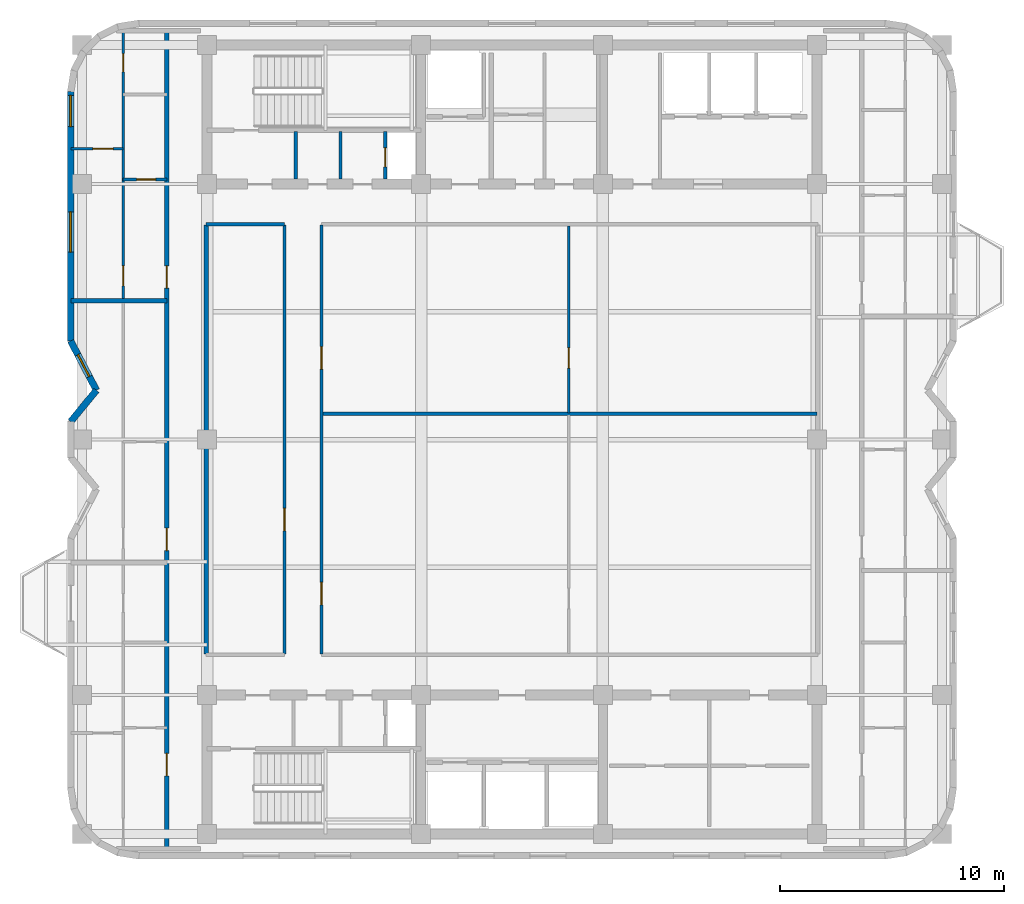
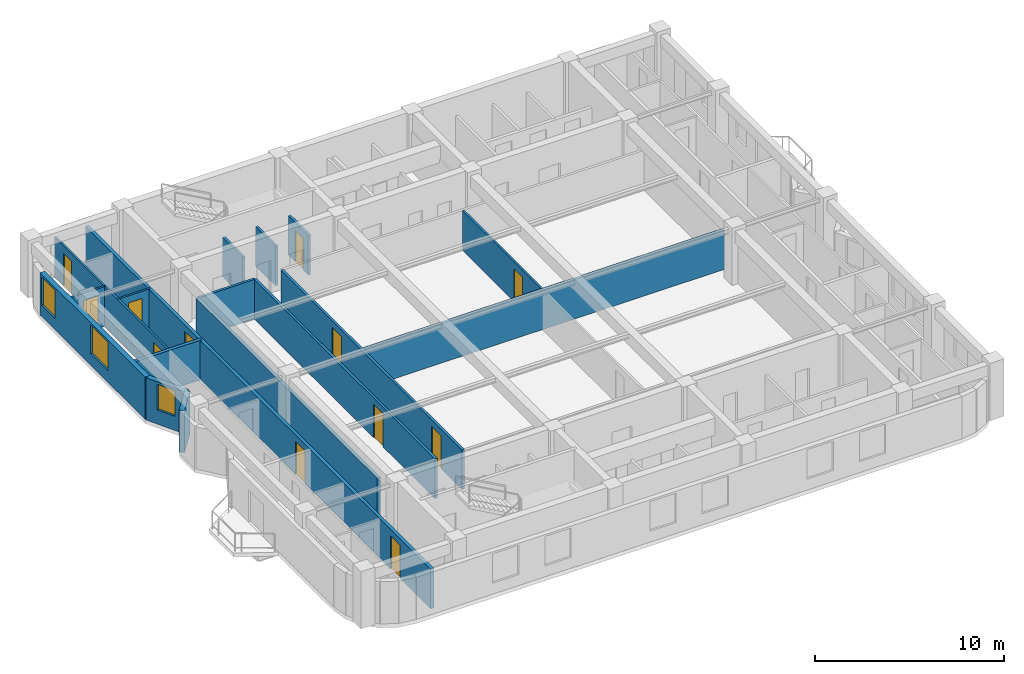
# One storey, part 4 of 9: 17 walls, 12 doors, 3 windows, 15 openings.
"""IFC4 building model written with IfcOpenShell, lengths in metres."""

from ifc_helpers import new_model, si_unit, direction, frame, frame_2d, origin, place, context, subcontext, project, spatial, rectangle, extrude, material, layer, layer_set, type_object, element, fill, save


model = new_model("IFC4")

# Units and contexts
model_context = context("Model", 3, precision=1e-05, world=origin(), true_north=direction((0.0, 1.0)))
body_context = subcontext(model_context, "Body", "Model", "MODEL_VIEW")
ifc_project = project(units=[si_unit("LENGTHUNIT", "METRE"), si_unit("AREAUNIT", "SQUARE_METRE"), si_unit("VOLUMEUNIT", "CUBIC_METRE"), si_unit("PLANEANGLEUNIT", "RADIAN"), si_unit("MASSUNIT", "GRAM", prefix="KILO")], contexts=[model_context])

# Site, building, storey
site_placement = place(None, origin())
site = spatial("IfcSite", under=ifc_project, at=site_placement, CompositionType="ELEMENT")
building_placement = place(site_placement, origin())
building = spatial("IfcBuilding", under=site, at=building_placement, Name="Svetorya Sky Lyceum", CompositionType="ELEMENT")
storey_placement = place(building_placement, frame((0.0, 0.0, 244.300048828125)))
storey = spatial("IfcBuildingStorey", under=building, at=storey_placement, Name="L61", CompositionType="ELEMENT", Elevation=244.300048828125)

# Wall, openings, windows
ifc_material_1 = material(Name="Putilovo limestone rainscreen on autoclaved cellular masonry", Category="masonry")
ifc_layer_1 = layer(ifc_material_1, 0.300048828125)
ifc_layer_set_1 = layer_set([ifc_layer_1], Name="Putilovo limestone rainscreen on autoclaved cellular masonry")
wall_type_1 = type_object("IfcWallType", Name="WL-EXT-300", PredefinedType="SOLIDWALL", material=ifc_layer_set_1)
wall_1_placement = place(storey_placement, frame((19.510009765625, 43.719970703125, 0.0), z_axis=(0.0, 0.0, 1.0), x_axis=(0.0, -1.0, 0.0)))
wall_1 = element("IfcWall", 1, at=wall_1_placement, inside=storey, type_object=wall_type_1, Name="L61 Limestone Exterior Wall 30M", PredefinedType="SOLIDWALL", context=body_context, shape_type="SweptSolid", body=[
    extrude(rectangle(XDim=11.119873046875, YDim=0.300048828125, at=frame_2d((5.56005859375, 0.0))), origin(), (0.0, 0.0, 1.0), 2.72998046875),
])
opening_1_placement = place(wall_1_placement, frame((0.159912109375, 0.0, 0.719970703125)))
opening_1 = element("IfcOpeningElement", 2, at=opening_1_placement, cuts=wall_1, Name="Opening W-R2", PredefinedType="OPENING", context=body_context, shape_type="SweptSolid", body=[
    extrude(rectangle(XDim=1.39990234375, YDim=1.85009765625, at=frame_2d((0.699951171875, 0.925048828125))), frame((0.0, 0.159912109375, 0.0), z_axis=(0.0, -1.0, 0.0), x_axis=(1.0, 0.0, 0.0)), (0.0, 0.0, 1.0), 0.320068359375),
])
opening_2_placement = place(wall_1_placement, frame((5.360107421875, 0.0, 0.760009765625)))
opening_2 = element("IfcOpeningElement", 3, at=opening_2_placement, cuts=wall_1, Name="Opening W-R1", PredefinedType="OPENING", context=body_context, shape_type="SweptSolid", body=[
    extrude(rectangle(XDim=1.800048828125, YDim=1.85009765625, at=frame_2d((0.89990234375, 0.925048828125))), frame((0.0, 0.159912109375, 0.0), z_axis=(0.0, -1.0, 0.0), x_axis=(1.0, 0.0, 0.0)), (0.0, 0.0, 1.0), 0.320068359375),
])
ifc_material_2 = material(Name="Thermally broken aluminium frame with triple low-E glazing", Category="aluminium")
window_type_1 = type_object("IfcWindowType", Name="WN-RES-140", PartitioningType="SINGLE_PANEL", PredefinedType="WINDOW", material=ifc_material_2)
window_1_placement = place(opening_1_placement, origin())
window_1 = element("IfcWindow", 4, at=window_1_placement, inside=storey, type_object=window_type_1, Name="L61 Facade Window W-R2.30M.2", OverallHeight=1.85009765625, OverallWidth=1.39990234375, PartitioningType="SINGLE_PANEL", PredefinedType="WINDOW", context=body_context, shape_type="SweptSolid", body=[
    extrude(rectangle(XDim=1.39990234375, YDim=1.85009765625, at=frame_2d((0.699951171875, 0.925048828125))), frame((0.0, 0.030029296875, 0.0), z_axis=(0.0, -1.0, 0.0), x_axis=(1.0, 0.0, 0.0)), (0.0, 0.0, 1.0), 0.06005859375),
])
fill(opening_1, window_1)
window_type_2 = type_object("IfcWindowType", Name="WN-RES-180", PartitioningType="DOUBLE_PANEL_VERTICAL", PredefinedType="WINDOW", material=ifc_material_2)
window_2_placement = place(opening_2_placement, origin())
window_2 = element("IfcWindow", 5, at=window_2_placement, inside=storey, type_object=window_type_2, Name="L61 Facade Window W-R1.30M.1", OverallHeight=1.85009765625, OverallWidth=1.800048828125, PartitioningType="SINGLE_PANEL", PredefinedType="WINDOW", context=body_context, shape_type="SweptSolid", body=[
    extrude(rectangle(XDim=1.800048828125, YDim=1.85009765625, at=frame_2d((0.89990234375, 0.925048828125))), frame((0.0, 0.030029296875, 0.0), z_axis=(0.0, -1.0, 0.0), x_axis=(1.0, 0.0, 0.0)), (0.0, 0.0, 1.0), 0.06005859375),
])
fill(opening_2, window_2)

# Wall, opening, window
wall_2_placement = place(storey_placement, frame((19.510009765625, 32.60009765625, 0.0), z_axis=(0.0, 0.0, 1.0), x_axis=(0.463191013929, -0.88625847506, 0.0)))
wall_2 = element("IfcWall", 6, at=wall_2_placement, inside=storey, type_object=wall_type_1, Name="L61 Limestone Exterior Wall 31M", PredefinedType="SOLIDWALL", context=body_context, shape_type="SweptSolid", body=[
    extrude(rectangle(XDim=2.482666015625, YDim=0.300048828125, at=frame_2d((1.2412109375, 0.0))), origin(), (0.0, 0.0, 1.0), 2.72998046875),
])
opening_3_placement = place(wall_2_placement, frame((0.691162109375, 0.0, 0.919921875)))
opening_3 = element("IfcOpeningElement", 7, at=opening_3_placement, cuts=wall_2, Name="Opening W-R3", PredefinedType="OPENING", context=body_context, shape_type="SweptSolid", body=[
    extrude(rectangle(XDim=1.10009765625, YDim=1.64990234375, at=frame_2d((0.550048828125, 0.824951171875))), frame((0.0, 0.159912109375, 0.0), z_axis=(0.0, -1.0, 0.0), x_axis=(1.0, 0.0, 0.0)), (0.0, 0.0, 1.0), 0.320068359375),
])
window_type_3 = type_object("IfcWindowType", Name="WN-RES-110", PartitioningType="SINGLE_PANEL", PredefinedType="WINDOW", material=ifc_material_2)
window_3_placement = place(opening_3_placement, origin())
window_3 = element("IfcWindow", 8, at=window_3_placement, inside=storey, type_object=window_type_3, Name="L61 Facade Window W-R3.31M.1", OverallHeight=1.64990234375, OverallWidth=1.10009765625, PartitioningType="SINGLE_PANEL", PredefinedType="WINDOW", context=body_context, shape_type="SweptSolid", body=[
    extrude(rectangle(XDim=1.10009765625, YDim=1.64990234375, at=frame_2d((0.550048828125, 0.824951171875))), frame((0.0, 0.030029296875, 0.0), z_axis=(0.0, -1.0, 0.0), x_axis=(1.0, 0.0, 0.0)), (0.0, 0.0, 1.0), 0.06005859375),
])
fill(opening_3, window_3)

# Wall
wall_3_placement = place(storey_placement, frame((20.659912109375, 30.39990234375, 0.0), z_axis=(0.0, 0.0, 1.0), x_axis=(-0.634733675645, -0.772730975827, 0.0)))
element("IfcWall", 9, at=wall_3_placement, inside=storey, type_object=wall_type_1, Name="L61 Limestone Exterior Wall 32M", PredefinedType="SOLIDWALL", context=body_context, shape_type="SweptSolid", body=[
    extrude(rectangle(XDim=1.8115234375, YDim=0.300048828125, at=frame_2d((0.90576171875, 0.0))), origin(), (0.0, 0.0, 1.0), 2.72998046875),
])

# Wall, opening, door
ifc_material_3 = material(Name="Twin-stud galvanized framing with double fireboard", Category="gypsum")
ifc_layer_2 = layer(ifc_material_3, 0.1201171875)
ifc_layer_set_2 = layer_set([ifc_layer_2], Name="Twin-stud galvanized framing with double fireboard")
wall_type_2 = type_object("IfcWallType", Name="WL-PART-120", PredefinedType="PARTITIONING", material=ifc_layer_set_2)
wall_4_placement = place(storey_placement, frame((41.735107421875, 29.388427734375, 0.0), z_axis=(0.0, 0.0, 1.0), x_axis=(0.0, 1.0, 0.0)))
wall_4 = element("IfcWall", 10, at=wall_4_placement, inside=storey, type_object=wall_type_2, Name="L61 Interior Partition OFF-VEM2", PredefinedType="PARTITIONING", context=body_context, shape_type="SweptSolid", body=[
    extrude(rectangle(XDim=8.3515625, YDim=0.1201171875, at=frame_2d((4.17578125, 0.0))), origin(), (0.0, 0.0, 1.0), 2.56005859375),
])
opening_4_placement = place(wall_4_placement, frame((2.0, 0.0, 0.0)))
opening_4 = element("IfcOpeningElement", 11, at=opening_4_placement, cuts=wall_4, Name="Opening D-RM1", PredefinedType="OPENING", context=body_context, shape_type="SweptSolid", body=[
    extrude(rectangle(XDim=0.89990234375, YDim=2.10009765625, at=frame_2d((0.449951171875, 1.050048828125))), frame((0.0, 0.070068359375, 0.0), z_axis=(0.0, -1.0, 0.0), x_axis=(1.0, 0.0, 0.0)), (0.0, 0.0, 1.0), 0.14013671875),
])
ifc_material_4 = material(Name="Lacquered birch veneer internal door")
door_type_1 = type_object("IfcDoorType", Name="DR-INT-900", OperationType="SINGLE_SWING_LEFT", PredefinedType="DOOR", material=ifc_material_4)
door_1_placement = place(opening_4_placement, origin())
door_1 = element("IfcDoor", 12, at=door_1_placement, inside=storey, type_object=door_type_1, Name="L61 East Focus Door", OperationType="SINGLE_SWING_RIGHT", OverallHeight=2.10009765625, OverallWidth=0.89990234375, PredefinedType="DOOR", context=body_context, shape_type="SweptSolid", body=[
    extrude(rectangle(XDim=0.89990234375, YDim=2.10009765625, at=frame_2d((0.449951171875, 1.050048828125))), frame((0.0, 0.02490234375, 0.0), z_axis=(0.0, -1.0, 0.0), x_axis=(1.0, 0.0, 0.0)), (0.0, 0.0, 1.0), 0.050048828125),
])
fill(opening_4, door_1)

wall_5_placement = place(storey_placement, frame((21.85009765625, 39.804931640625, 0.0), z_axis=(0.0, 0.0, 1.0), x_axis=(1.0, 0.0, 0.0)))
wall_5 = element("IfcWall", 13, at=wall_5_placement, inside=storey, type_object=wall_type_2, Name="L61 Interior Partition W3-WH1", PredefinedType="PARTITIONING", context=body_context, shape_type="SweptSolid", body=[
    extrude(rectangle(XDim=1.949951171875, YDim=0.1201171875, at=frame_2d((0.97509765625, 0.0))), origin(), (0.0, 0.0, 1.0), 2.56005859375),
])
opening_5_placement = place(wall_5_placement, frame((0.60009765625, 0.0, 0.0)))
opening_5 = element("IfcOpeningElement", 14, at=opening_5_placement, cuts=wall_5, Name="Opening D-BT1", PredefinedType="OPENING", context=body_context, shape_type="SweptSolid", body=[
    extrude(rectangle(XDim=0.85009765625, YDim=2.10009765625, at=frame_2d((0.425048828125, 1.050048828125))), frame((0.0, 0.070068359375, 0.0), z_axis=(0.0, -1.0, 0.0), x_axis=(1.0, 0.0, 0.0)), (0.0, 0.0, 1.0), 0.14013671875),
])
ifc_material_5 = material(Name="Moisture-resistant laminate bathroom door")
door_type_2 = type_object("IfcDoorType", Name="DR-WET-850", OperationType="SINGLE_SWING_LEFT", PredefinedType="DOOR", material=ifc_material_5)
door_2_placement = place(opening_5_placement, origin())
door_2 = element("IfcDoor", 15, at=door_2_placement, inside=storey, type_object=door_type_2, Name="Apartment W3 Bathroom Door", OperationType="SINGLE_SWING_LEFT", OverallHeight=2.10009765625, OverallWidth=0.85009765625, PredefinedType="DOOR", context=body_context, shape_type="SweptSolid", body=[
    extrude(rectangle(XDim=0.85009765625, YDim=2.10009765625, at=frame_2d((0.425048828125, 1.050048828125))), frame((0.0, 0.02490234375, 0.0), z_axis=(0.0, -1.0, 0.0), x_axis=(1.0, 0.0, 0.0)), (0.0, 0.0, 1.0), 0.050048828125),
])
fill(opening_5, door_2)

wall_6_placement = place(storey_placement, frame((19.530029296875, 41.169921875, 0.0), z_axis=(0.0, 0.0, 1.0), x_axis=(1.0, 0.0, 0.0)))
wall_6 = element("IfcWall", 16, at=wall_6_placement, inside=storey, type_object=wall_type_2, Name="L61 Interior Partition W3-WL1", PredefinedType="PARTITIONING", context=body_context, shape_type="SweptSolid", body=[
    extrude(rectangle(XDim=2.320068359375, YDim=0.1201171875, at=frame_2d((1.16015625, 0.0))), origin(), (0.0, 0.0, 1.0), 2.56005859375),
])
opening_6_placement = place(wall_6_placement, frame((0.969970703125, 0.0, 0.0)))
opening_6 = element("IfcOpeningElement", 17, at=opening_6_placement, cuts=wall_6, Name="Opening D-RM1", PredefinedType="OPENING", context=body_context, shape_type="SweptSolid", body=[
    extrude(rectangle(XDim=0.89990234375, YDim=2.10009765625, at=frame_2d((0.449951171875, 1.050048828125))), frame((0.0, 0.070068359375, 0.0), z_axis=(0.0, -1.0, 0.0), x_axis=(1.0, 0.0, 0.0)), (0.0, 0.0, 1.0), 0.14013671875),
])
door_3_placement = place(opening_6_placement, origin())
door_3 = element("IfcDoor", 18, at=door_3_placement, inside=storey, type_object=door_type_1, Name="Apartment W3 Bedroom 1 Door", OperationType="SINGLE_SWING_LEFT", OverallHeight=2.10009765625, OverallWidth=0.89990234375, PredefinedType="DOOR", context=body_context, shape_type="SweptSolid", body=[
    extrude(rectangle(XDim=0.89990234375, YDim=2.10009765625, at=frame_2d((0.449951171875, 1.050048828125))), frame((0.0, 0.02490234375, 0.0), z_axis=(0.0, -1.0, 0.0), x_axis=(1.0, 0.0, 0.0)), (0.0, 0.0, 1.0), 0.050048828125),
])
fill(opening_6, door_3)

# Wall, openings, doors
wall_7_placement = place(storey_placement, frame((21.85009765625, 34.445068359375, 0.0), z_axis=(0.0, 0.0, 1.0), x_axis=(0.0, 1.0, 0.0)))
wall_7 = element("IfcWall", 19, at=wall_7_placement, inside=storey, type_object=wall_type_2, Name="L61 Interior Partition W3-WV", PredefinedType="PARTITIONING", context=body_context, shape_type="SweptSolid", body=[
    extrude(rectangle(XDim=11.96484375, YDim=0.1201171875, at=frame_2d((5.982421875, 0.0))), origin(), (0.0, 0.0, 1.0), 2.56005859375),
])
opening_7_placement = place(wall_7_placement, frame((0.610107421875, 0.0, 0.0)))
opening_7 = element("IfcOpeningElement", 20, at=opening_7_placement, cuts=wall_7, Name="Opening D-RM1", PredefinedType="OPENING", context=body_context, shape_type="SweptSolid", body=[
    extrude(rectangle(XDim=0.89990234375, YDim=2.10009765625, at=frame_2d((0.449951171875, 1.050048828125))), frame((0.0, 0.070068359375, 0.0), z_axis=(0.0, -1.0, 0.0), x_axis=(1.0, 0.0, 0.0)), (0.0, 0.0, 1.0), 0.14013671875),
])
opening_8_placement = place(wall_7_placement, frame((10.157470703125, 0.0, 0.0)))
opening_8 = element("IfcOpeningElement", 21, at=opening_8_placement, cuts=wall_7, Name="Opening D-BT2", PredefinedType="OPENING", context=body_context, shape_type="SweptSolid", body=[
    extrude(rectangle(XDim=0.820068359375, YDim=2.080078125, at=frame_2d((0.41015625, 1.0400390625))), frame((0.0, 0.070068359375, 0.0), z_axis=(0.0, -1.0, 0.0), x_axis=(1.0, 0.0, 0.0)), (0.0, 0.0, 1.0), 0.14013671875),
])
door_4_placement = place(opening_7_placement, origin())
door_4 = element("IfcDoor", 22, at=door_4_placement, inside=storey, type_object=door_type_1, Name="Apartment W3 Living Door", OperationType="SINGLE_SWING_RIGHT", OverallHeight=2.10009765625, OverallWidth=0.89990234375, PredefinedType="DOOR", context=body_context, shape_type="SweptSolid", body=[
    extrude(rectangle(XDim=0.89990234375, YDim=2.10009765625, at=frame_2d((0.449951171875, 1.050048828125))), frame((0.0, 0.02490234375, 0.0), z_axis=(0.0, -1.0, 0.0), x_axis=(1.0, 0.0, 0.0)), (0.0, 0.0, 1.0), 0.050048828125),
])
fill(opening_7, door_4)
ifc_material_6 = material(Name="Compact moisture-resistant laminate closet door")
door_type_3 = type_object("IfcDoorType", Name="DR-WET-820", OperationType="SINGLE_SWING_LEFT", PredefinedType="DOOR", material=ifc_material_6)
door_5_placement = place(opening_8_placement, origin())
door_5 = element("IfcDoor", 23, at=door_5_placement, inside=storey, type_object=door_type_3, Name="Apartment W3 Study Door", OperationType="SINGLE_SWING_LEFT", OverallHeight=2.080078125, OverallWidth=0.820068359375, PredefinedType="DOOR", context=body_context, shape_type="SweptSolid", body=[
    extrude(rectangle(XDim=0.820068359375, YDim=2.080078125, at=frame_2d((0.41015625, 1.0400390625))), frame((0.0, 0.02490234375, 0.0), z_axis=(0.0, -1.0, 0.0), x_axis=(1.0, 0.0, 0.0)), (0.0, 0.0, 1.0), 0.050048828125),
])
fill(opening_8, door_5)

# Wall, opening, door
ifc_material_7 = material(Name="Autoclaved cellular masonry blockwork with acoustic render", Category="masonry")
ifc_layer_3 = layer(ifc_material_7, 0.14990234375)
ifc_layer_set_3 = layer_set([ifc_layer_3], Name="Autoclaved cellular masonry blockwork with acoustic render")
wall_type_3 = type_object("IfcWallType", Name="WL-PART-150", PredefinedType="PARTITIONING", material=ifc_layer_set_3)
wall_8_placement = place(storey_placement, frame((33.550048828125, 39.820068359375, 0.0), z_axis=(0.0, 0.0, 1.0), x_axis=(0.0, 1.0, 0.0)))
wall_8 = element("IfcWall", 24, at=wall_8_placement, inside=storey, type_object=wall_type_3, Name="L61 Interior Partition NC-RSRW", PredefinedType="PARTITIONING", context=body_context, shape_type="SweptSolid", body=[
    extrude(rectangle(XDim=2.1298828125, YDim=0.14990234375, at=frame_2d((1.06494140625, 0.0))), origin(), (0.0, 0.0, 1.0), 2.56005859375),
])
opening_9_placement = place(wall_8_placement, frame((0.550048828125, 0.0, 0.0)))
opening_9 = element("IfcOpeningElement", 25, at=opening_9_placement, cuts=wall_8, Name="Opening D-SH1", PredefinedType="OPENING", context=body_context, shape_type="SweptSolid", body=[
    extrude(rectangle(XDim=0.85009765625, YDim=2.050048828125, at=frame_2d((0.425048828125, 1.02490234375))), frame((0.0, 0.0849609375, 0.0), z_axis=(0.0, -1.0, 0.0), x_axis=(1.0, 0.0, 0.0)), (0.0, 0.0, 1.0), 0.169921875),
])
ifc_material_8 = material(Name="Insulated galvanized riser inspection fire door")
door_type_4 = type_object("IfcDoorType", Name="DR-SHFT-850", OperationType="SINGLE_SWING_LEFT", PredefinedType="TRAPDOOR", material=ifc_material_8)
door_6_placement = place(opening_9_placement, origin())
door_6 = element("IfcDoor", 26, at=door_6_placement, inside=storey, type_object=door_type_4, Name="L61 North Riser Access Door", OperationType="SINGLE_SWING_LEFT", OverallHeight=2.050048828125, OverallWidth=0.85009765625, PredefinedType="TRAPDOOR", context=body_context, shape_type="SweptSolid", body=[
    extrude(rectangle(XDim=0.85009765625, YDim=2.050048828125, at=frame_2d((0.425048828125, 1.02490234375))), frame((0.0, 0.02490234375, 0.0), z_axis=(0.0, -1.0, 0.0), x_axis=(1.0, 0.0, 0.0)), (0.0, 0.0, 1.0), 0.050048828125),
])
fill(opening_9, door_6)

# Walls
for number, where, z_axis, x_axis, name in (
    (27, (29.550048828125, 39.820068359375, 0.0), (0.0, 0.0, 1.0), (0.0, 1.0, 0.0), "L61 Interior Partition NC-NWD1"),
    (28, (31.550048828125, 39.820068359375, 0.0), (0.0, 0.0, 1.0), (0.0, 1.0, 0.0), "L61 Interior Partition NC-NWD2"),
):
    element("IfcWall", number, at=place(storey_placement, frame(where, z_axis=z_axis, x_axis=x_axis)), inside=storey, type_object=wall_type_3, Name=name, PredefinedType="PARTITIONING", context=body_context, shape_type="SweptSolid", body=[
        extrude(rectangle(XDim=2.1298828125, YDim=0.14990234375, at=frame_2d((1.06494140625, 0.0))), origin(), (0.0, 0.0, 1.0), 2.56005859375),
    ])
wall_9_placement = place(storey_placement, frame((25.550048828125, 37.800048828125, 0.0), z_axis=(0.0, 0.0, 1.0), x_axis=(1.0, 0.0, 0.0)))
element("IfcWall", 29, at=wall_9_placement, inside=storey, type_object=wall_type_3, Name="L61 Interior Partition OFF-CN-W", PredefinedType="PARTITIONING", context=body_context, shape_type="SweptSolid", body=[
    extrude(rectangle(XDim=3.5, YDim=0.14990234375, at=frame_2d((1.75, 0.0))), origin(), (0.0, 0.0, 1.0), 2.56005859375),
])
wall_10_placement = place(storey_placement, frame((30.72998046875, 29.348388671875, 0.0), z_axis=(0.0, 0.0, 1.0), x_axis=(1.0, 0.0, 0.0)))
element("IfcWall", 30, at=wall_10_placement, inside=storey, type_object=wall_type_3, Name="L61 Interior Partition OFF-HE", PredefinedType="PARTITIONING", context=body_context, shape_type="SweptSolid", body=[
    extrude(rectangle(XDim=22.070068359375, YDim=0.14990234375, at=frame_2d((11.03515625, 0.0))), origin(), (0.0, 0.0, 1.0), 2.56005859375),
])

# Wall, opening, door
wall_11_placement = place(storey_placement, frame((29.050048828125, 18.6298828125, 0.0), z_axis=(0.0, 0.0, 1.0), x_axis=(0.0, 1.0, 0.0)))
wall_11 = element("IfcWall", 31, at=wall_11_placement, inside=storey, type_object=wall_type_3, Name="L61 Interior Partition OFF-VW", PredefinedType="PARTITIONING", context=body_context, shape_type="SweptSolid", body=[
    extrude(rectangle(XDim=19.14013671875, YDim=0.14990234375, at=frame_2d((9.570068359375, 0.0))), origin(), (0.0, 0.0, 1.0), 2.56005859375),
])
opening_10_placement = place(wall_11_placement, frame((5.5, 0.0, 0.0)))
opening_10 = element("IfcOpeningElement", 32, at=opening_10_placement, cuts=wall_11, Name="Opening D-RM2", PredefinedType="OPENING", context=body_context, shape_type="SweptSolid", body=[
    extrude(rectangle(XDim=1.0, YDim=2.14990234375, at=frame_2d((0.5, 1.074951171875))), frame((0.0, 0.0849609375, 0.0), z_axis=(0.0, -1.0, 0.0), x_axis=(1.0, 0.0, 0.0)), (0.0, 0.0, 1.0), 0.169921875),
])
ifc_material_9 = material(Name="Solid-core oak acoustic room door")
door_type_5 = type_object("IfcDoorType", Name="DR-INT-1000", OperationType="SINGLE_SWING_LEFT", PredefinedType="DOOR", material=ifc_material_9)
door_7_placement = place(opening_10_placement, origin())
door_7 = element("IfcDoor", 33, at=door_7_placement, inside=storey, type_object=door_type_5, Name="L61 West Office Door", OperationType="SINGLE_SWING_LEFT", OverallHeight=2.14990234375, OverallWidth=1.0, PredefinedType="DOOR", context=body_context, shape_type="SweptSolid", body=[
    extrude(rectangle(XDim=1.0, YDim=2.14990234375, at=frame_2d((0.5, 1.074951171875))), frame((0.0, 0.02490234375, 0.0), z_axis=(0.0, -1.0, 0.0), x_axis=(1.0, 0.0, 0.0)), (0.0, 0.0, 1.0), 0.050048828125),
])
fill(opening_10, door_7)

# Wall, openings, doors
wall_12_placement = place(storey_placement, frame((30.699951171875, 18.6298828125, 0.0), z_axis=(0.0, 0.0, 1.0), x_axis=(0.0, 1.0, 0.0)))
wall_12 = element("IfcWall", 34, at=wall_12_placement, inside=storey, type_object=wall_type_3, Name="L61 Interior Partition OFF-VE", PredefinedType="PARTITIONING", context=body_context, shape_type="SweptSolid", body=[
    extrude(rectangle(XDim=19.14013671875, YDim=0.14990234375, at=frame_2d((9.570068359375, 0.0))), origin(), (0.0, 0.0, 1.0), 2.56005859375),
])
opening_11_placement = place(wall_12_placement, frame((2.199951171875, 0.0, 0.0)))
opening_11 = element("IfcOpeningElement", 35, at=opening_11_placement, cuts=wall_12, Name="Opening D-RM2", PredefinedType="OPENING", context=body_context, shape_type="SweptSolid", body=[
    extrude(rectangle(XDim=1.0, YDim=2.14990234375, at=frame_2d((0.5, 1.074951171875))), frame((0.0, 0.0849609375, 0.0), z_axis=(0.0, -1.0, 0.0), x_axis=(1.0, 0.0, 0.0)), (0.0, 0.0, 1.0), 0.169921875),
])
opening_12_placement = place(wall_12_placement, frame((12.718505859375, 0.0, 0.0)))
opening_12 = element("IfcOpeningElement", 36, at=opening_12_placement, cuts=wall_12, Name="Opening D-RM2", PredefinedType="OPENING", context=body_context, shape_type="SweptSolid", body=[
    extrude(rectangle(XDim=1.0, YDim=2.14990234375, at=frame_2d((0.5, 1.074951171875))), frame((0.0, 0.0849609375, 0.0), z_axis=(0.0, -1.0, 0.0), x_axis=(1.0, 0.0, 0.0)), (0.0, 0.0, 1.0), 0.169921875),
])
door_8_placement = place(opening_11_placement, origin())
door_8 = element("IfcDoor", 37, at=door_8_placement, inside=storey, type_object=door_type_5, Name="L61 Meeting Door", OperationType="SINGLE_SWING_RIGHT", OverallHeight=2.14990234375, OverallWidth=1.0, PredefinedType="DOOR", context=body_context, shape_type="SweptSolid", body=[
    extrude(rectangle(XDim=1.0, YDim=2.14990234375, at=frame_2d((0.5, 1.074951171875))), frame((0.0, 0.02490234375, 0.0), z_axis=(0.0, -1.0, 0.0), x_axis=(1.0, 0.0, 0.0)), (0.0, 0.0, 1.0), 0.050048828125),
])
fill(opening_11, door_8)
door_9_placement = place(opening_12_placement, origin())
door_9 = element("IfcDoor", 38, at=door_9_placement, inside=storey, type_object=door_type_5, Name="L61 North Room Door", OperationType="SINGLE_SWING_LEFT", OverallHeight=2.14990234375, OverallWidth=1.0, PredefinedType="DOOR", context=body_context, shape_type="SweptSolid", body=[
    extrude(rectangle(XDim=1.0, YDim=2.14990234375, at=frame_2d((0.5, 1.074951171875))), frame((0.0, 0.02490234375, 0.0), z_axis=(0.0, -1.0, 0.0), x_axis=(1.0, 0.0, 0.0)), (0.0, 0.0, 1.0), 0.050048828125),
])
fill(opening_12, door_9)

# Walls
ifc_material_10 = material(Name="Autoclaved cellular masonry blockwork with gypsum plaster", Category="masonry")
ifc_layer_4 = layer(ifc_material_10, 0.199951171875)
ifc_layer_set_4 = layer_set([ifc_layer_4], Name="Autoclaved cellular masonry blockwork with gypsum plaster")
wall_type_4 = type_object("IfcWallType", Name="WL-PART-200", PredefinedType="PARTITIONING", material=ifc_layer_set_4)
wall_13_placement = place(storey_placement, frame((25.550048828125, 18.6298828125, 0.0), z_axis=(0.0, 0.0, 1.0), x_axis=(0.0, 1.0, 0.0)))
element("IfcWall", 39, at=wall_13_placement, inside=storey, type_object=wall_type_4, Name="L61 Interior Partition W-CEN-SEP", PredefinedType="PARTITIONING", context=body_context, shape_type="SweptSolid", body=[
    extrude(rectangle(XDim=19.14013671875, YDim=0.199951171875, at=frame_2d((9.570068359375, 0.0))), origin(), (0.0, 0.0, 1.0), 2.56005859375),
])
wall_14_placement = place(storey_placement, frame((19.530029296875, 34.405029296875, 0.0), z_axis=(0.0, 0.0, 1.0), x_axis=(1.0, 0.0, 0.0)))
element("IfcWall", 40, at=wall_14_placement, inside=storey, type_object=wall_type_4, Name="L61 Interior Partition W-PARTY-2", PredefinedType="PARTITIONING", context=body_context, shape_type="SweptSolid", body=[
    extrude(rectangle(XDim=4.27001953125, YDim=0.199951171875, at=frame_2d((2.135009765625, 0.0))), origin(), (0.0, 0.0, 1.0), 2.56005859375),
])

# Wall, openings, doors
wall_15_placement = place(storey_placement, frame((23.800048828125, 9.949951171875, 0.0), z_axis=(0.0, 0.0, 1.0), x_axis=(0.0, 1.0, 0.0)))
wall_15 = element("IfcWall", 41, at=wall_15_placement, inside=storey, type_object=wall_type_4, Name="L61 Interior Partition W-CORRW", PredefinedType="PARTITIONING", context=body_context, shape_type="SweptSolid", body=[
    extrude(rectangle(XDim=36.5, YDim=0.199951171875, at=frame_2d((18.25, 0.0))), origin(), (0.0, 0.0, 1.0), 2.56005859375),
])
opening_13_placement = place(wall_15_placement, frame((3.25, 0.0, 0.0)))
opening_13 = element("IfcOpeningElement", 42, at=opening_13_placement, cuts=wall_15, Name="Opening D-APT1", PredefinedType="OPENING", context=body_context, shape_type="SweptSolid", body=[
    extrude(rectangle(XDim=1.0, YDim=2.14990234375, at=frame_2d((0.5, 1.074951171875))), frame((0.0, 0.10986328125, 0.0), z_axis=(0.0, -1.0, 0.0), x_axis=(1.0, 0.0, 0.0)), (0.0, 0.0, 1.0), 0.219970703125),
])
opening_14_placement = place(wall_15_placement, frame((13.300048828125, 0.0, 0.0)))
opening_14 = element("IfcOpeningElement", 43, at=opening_14_placement, cuts=wall_15, Name="Opening D-APT1", PredefinedType="OPENING", context=body_context, shape_type="SweptSolid", body=[
    extrude(rectangle(XDim=1.0, YDim=2.14990234375, at=frame_2d((0.5, 1.074951171875))), frame((0.0, 0.10986328125, 0.0), z_axis=(0.0, -1.0, 0.0), x_axis=(1.0, 0.0, 0.0)), (0.0, 0.0, 1.0), 0.219970703125),
])
opening_15_placement = place(wall_15_placement, frame((25.0048828125, 0.0, 0.0)))
opening_15 = element("IfcOpeningElement", 44, at=opening_15_placement, cuts=wall_15, Name="Opening D-APT1", PredefinedType="OPENING", context=body_context, shape_type="SweptSolid", body=[
    extrude(rectangle(XDim=1.0, YDim=2.14990234375, at=frame_2d((0.5, 1.074951171875))), frame((0.0, 0.10986328125, 0.0), z_axis=(0.0, -1.0, 0.0), x_axis=(1.0, 0.0, 0.0)), (0.0, 0.0, 1.0), 0.219970703125),
])
ifc_material_11 = material(Name="Insulated oak-veneered apartment entrance door")
door_type_6 = type_object("IfcDoorType", Name="DR-APT-1000", OperationType="SINGLE_SWING_LEFT", PredefinedType="DOOR", material=ifc_material_11)
door_10_placement = place(opening_13_placement, origin())
door_10 = element("IfcDoor", 45, at=door_10_placement, inside=storey, type_object=door_type_6, Name="L61 Apartment W1 Entrance Door", OperationType="SINGLE_SWING_LEFT", OverallHeight=2.14990234375, OverallWidth=1.0, PredefinedType="DOOR", context=body_context, shape_type="SweptSolid", body=[
    extrude(rectangle(XDim=1.0, YDim=2.14990234375, at=frame_2d((0.5, 1.074951171875))), frame((0.0, 0.02490234375, 0.0), z_axis=(0.0, -1.0, 0.0), x_axis=(1.0, 0.0, 0.0)), (0.0, 0.0, 1.0), 0.050048828125),
])
fill(opening_13, door_10)
door_11_placement = place(opening_14_placement, origin())
door_11 = element("IfcDoor", 46, at=door_11_placement, inside=storey, type_object=door_type_6, Name="L61 Apartment W2 Entrance Door", OperationType="SINGLE_SWING_RIGHT", OverallHeight=2.14990234375, OverallWidth=1.0, PredefinedType="DOOR", context=body_context, shape_type="SweptSolid", body=[
    extrude(rectangle(XDim=1.0, YDim=2.14990234375, at=frame_2d((0.5, 1.074951171875))), frame((0.0, 0.02490234375, 0.0), z_axis=(0.0, -1.0, 0.0), x_axis=(1.0, 0.0, 0.0)), (0.0, 0.0, 1.0), 0.050048828125),
])
fill(opening_14, door_11)
door_12_placement = place(opening_15_placement, origin())
door_12 = element("IfcDoor", 47, at=door_12_placement, inside=storey, type_object=door_type_6, Name="L61 Apartment W3 Entrance Door", OperationType="SINGLE_SWING_LEFT", OverallHeight=2.14990234375, OverallWidth=1.0, PredefinedType="DOOR", context=body_context, shape_type="SweptSolid", body=[
    extrude(rectangle(XDim=1.0, YDim=2.14990234375, at=frame_2d((0.5, 1.074951171875))), frame((0.0, 0.02490234375, 0.0), z_axis=(0.0, -1.0, 0.0), x_axis=(1.0, 0.0, 0.0)), (0.0, 0.0, 1.0), 0.050048828125),
])
fill(opening_15, door_12)

save(model, "model.ifc")
